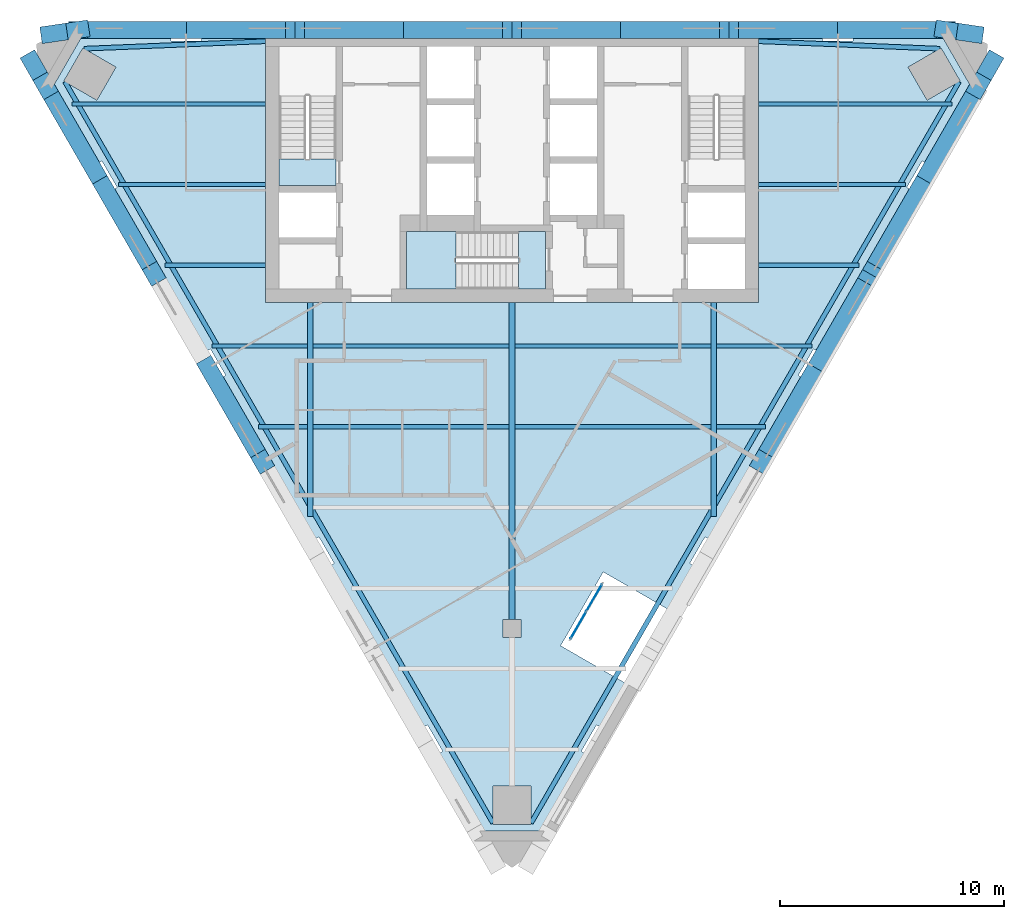
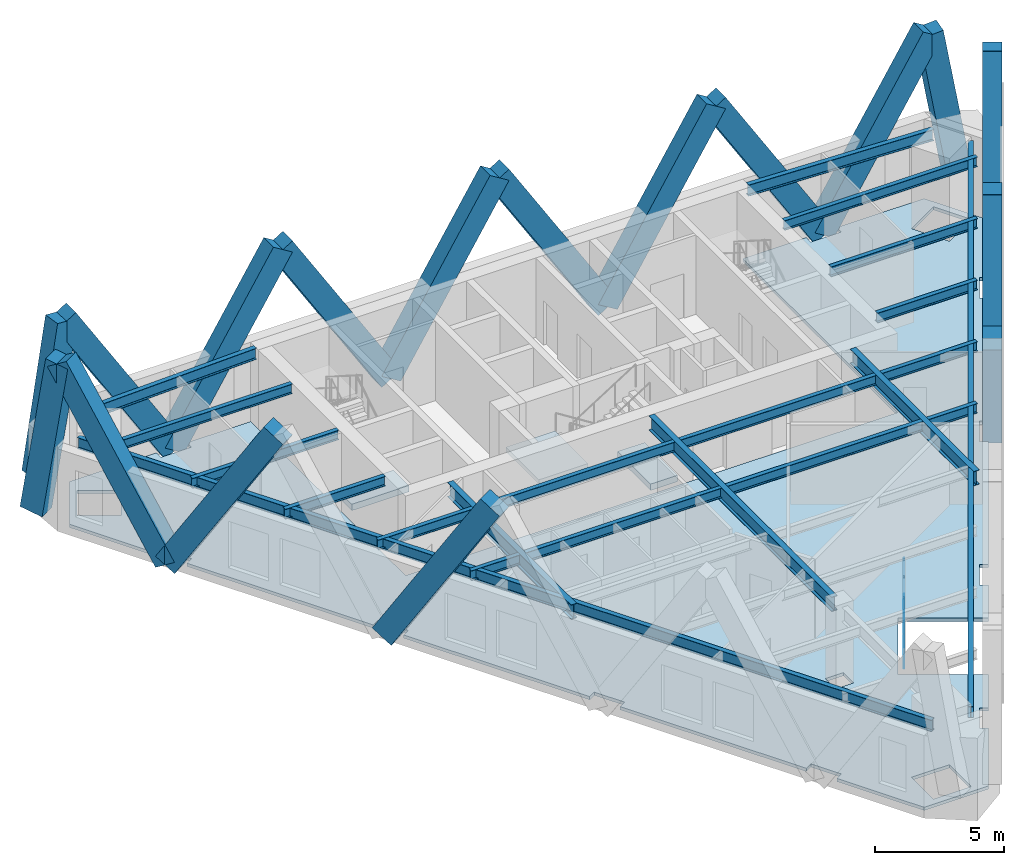
# One storey, part 3 of 10: 21 beams, 19 members, 4 plates, 4 slabs, 2 elements without a shape of their own.
"""IFC4 building model written with IfcOpenShell, lengths in metres."""

from ifc_helpers import new_model, si_unit, direction, frame, origin, origin_2d, place, context, subcontext, project, spatial, polyline, rectangle, i_section, outline, extrude, material, layer, layer_set, material_profile, profile_set, type_object, element, aggregate, save


model = new_model("IFC4")

# Units and contexts
model_context = context("Model", 3, precision=1e-05, world=origin(), true_north=direction((0.0, 1.0)))
body_context = subcontext(model_context, "Body", "Model", "MODEL_VIEW")
ifc_project = project(units=[si_unit("LENGTHUNIT", "METRE"), si_unit("AREAUNIT", "SQUARE_METRE"), si_unit("VOLUMEUNIT", "CUBIC_METRE"), si_unit("PLANEANGLEUNIT", "RADIAN"), si_unit("MASSUNIT", "GRAM", prefix="KILO")], contexts=[model_context])

# Site, building, storey
site_placement = place(None, origin())
site = spatial("IfcSite", under=ifc_project, at=site_placement, CompositionType="ELEMENT")
building_placement = place(site_placement, origin())
building = spatial("IfcBuilding", under=site, at=building_placement, Name="Aloe Facet Convention Tower", CompositionType="ELEMENT")
storey_placement = place(building_placement, frame((0.0, 0.0, 219.199951171875)))
storey = spatial("IfcBuildingStorey", under=building, at=storey_placement, Name="L55", CompositionType="ELEMENT", Elevation=219.199951171875)

# Beams
ifc_material_1 = material(Name="Steel S355", Category="steel")
ifc_material_profile_1 = material_profile(ifc_material_1, i_section(OverallWidth=0.19140625, OverallDepth=0.4599609375, WebThickness=0.010009765625, FlangeThickness=0.01611328125, FilletRadius=0.01025390625, at=origin_2d()), Name="UB 457x191x82")
ifc_profile_set_1 = profile_set([ifc_material_profile_1], Name="Steel S355")
beam_type_1 = type_object("IfcBeamType", Name="SF-B-UB457x191x82", PredefinedType="BEAM", material=ifc_profile_set_1)
beam_1_placement = place(storey_placement, frame((60.373779296875, 131.39990234375, 3.52001953125), z_axis=(1.0, 0.0, 0.0), x_axis=(0.0, 1.0, 0.0)))
element("IfcBeam", 1, at=beam_1_placement, inside=storey, type_object=beam_type_1, Name="Floor beam FB-Z4B-009", PredefinedType="BEAM", context=body_context, shape_type="SweptSolid", body=[
    extrude(i_section(OverallWidth=0.19140625, OverallDepth=0.4599609375, WebThickness=0.010009765625, FlangeThickness=0.01611328125, FilletRadius=0.01025390625, at=origin_2d()), origin(), (0.0, 0.0, 1.0), 8.626220703125),
])
beam_2_placement = place(storey_placement, frame((62.452392578125, 127.800048828125, 3.52001953125), z_axis=(1.0, 0.0, 0.0), x_axis=(0.0, 1.0, 0.0)))
element("IfcBeam", 2, at=beam_2_placement, inside=storey, type_object=beam_type_1, Name="Floor beam FB-Z4B-010", PredefinedType="BEAM", context=body_context, shape_type="SweptSolid", body=[
    extrude(i_section(OverallWidth=0.19140625, OverallDepth=0.4599609375, WebThickness=0.010009765625, FlangeThickness=0.01611328125, FilletRadius=0.01025390625, at=origin_2d()), origin(), (0.0, 0.0, 1.0), 6.547607421875),
])
beam_3_placement = place(storey_placement, frame((64.53076171875, 124.199951171875, 3.52001953125), z_axis=(1.0, 0.0, 0.0), x_axis=(0.0, 1.0, 0.0)))
element("IfcBeam", 3, at=beam_3_placement, inside=storey, type_object=beam_type_1, Name="Floor beam FB-Z4B-011", PredefinedType="BEAM", context=body_context, shape_type="SweptSolid", body=[
    extrude(i_section(OverallWidth=0.19140625, OverallDepth=0.4599609375, WebThickness=0.010009765625, FlangeThickness=0.01611328125, FilletRadius=0.01025390625, at=origin_2d()), origin(), (0.0, 0.0, 1.0), 4.46923828125),
])
beam_4_placement = place(storey_placement, frame((66.609130859375, 120.60009765625, 3.52001953125), z_axis=(1.0, 0.0, 0.0), x_axis=(0.0, 1.0, 0.0)))
element("IfcBeam", 4, at=beam_4_placement, inside=storey, type_object=beam_type_1, Name="Floor beam FB-Z4B-012", PredefinedType="BEAM", context=body_context, shape_type="SweptSolid", body=[
    extrude(i_section(OverallWidth=0.19140625, OverallDepth=0.4599609375, WebThickness=0.010009765625, FlangeThickness=0.01611328125, FilletRadius=0.01025390625, at=origin_2d()), origin(), (0.0, 0.0, 1.0), 4.264404296875),
])
beam_5_placement = place(storey_placement, frame((68.687744140625, 117.0, 3.52001953125), z_axis=(1.0, 0.0, 0.0), x_axis=(0.0, 1.0, 0.0)))
element("IfcBeam", 5, at=beam_5_placement, inside=storey, type_object=beam_type_1, Name="Floor beam FB-Z4B-013", PredefinedType="BEAM", context=body_context, shape_type="SweptSolid", body=[
    extrude(i_section(OverallWidth=0.19140625, OverallDepth=0.4599609375, WebThickness=0.010009765625, FlangeThickness=0.01611328125, FilletRadius=0.01025390625, at=origin_2d()), origin(), (0.0, 0.0, 1.0), 2.185791015625),
])
for number, where, z_axis, x_axis, name in (
    (6, (71.12646484375, 117.0, 3.52001953125), (1.0, 0.0, 0.0), (0.0, 1.0, 0.0), "Floor beam FB-Z4B-015"),
    (7, (71.12646484375, 120.60009765625, 3.52001953125), (1.0, 0.0, 0.0), (0.0, 1.0, 0.0), "Floor beam FB-Z4B-016"),
    (8, (80.12646484375, 117.0, 3.52001953125), (1.0, 0.0, 0.0), (0.0, 1.0, 0.0), "Floor beam FB-Z4B-024"),
    (9, (80.12646484375, 120.60009765625, 3.52001953125), (1.0, 0.0, 0.0), (0.0, 1.0, 0.0), "Floor beam FB-Z4B-025"),
):
    element("IfcBeam", number, at=place(storey_placement, frame(where, z_axis=z_axis, x_axis=x_axis)), inside=storey, type_object=beam_type_1, Name=name, PredefinedType="BEAM", context=body_context, shape_type="SweptSolid", body=[
        extrude(i_section(OverallWidth=0.19140625, OverallDepth=0.4599609375, WebThickness=0.010009765625, FlangeThickness=0.01611328125, FilletRadius=0.01025390625, at=origin_2d()), origin(), (0.0, 0.0, 1.0), 8.7470703125),
    ])
beam_6_placement = place(storey_placement, frame((89.12646484375, 117.0, 3.52001953125), z_axis=(1.0, 0.0, 0.0), x_axis=(0.0, 1.0, 0.0)))
element("IfcBeam", 10, at=beam_6_placement, inside=storey, type_object=beam_type_1, Name="Floor beam FB-Z4B-026", PredefinedType="BEAM", context=body_context, shape_type="SweptSolid", body=[
    extrude(i_section(OverallWidth=0.19140625, OverallDepth=0.4599609375, WebThickness=0.010009765625, FlangeThickness=0.01611328125, FilletRadius=0.01025390625, at=origin_2d()), origin(), (0.0, 0.0, 1.0), 2.185791015625),
])
beam_7_placement = place(storey_placement, frame((89.12646484375, 120.60009765625, 3.52001953125), z_axis=(1.0, 0.0, 0.0), x_axis=(0.0, 1.0, 0.0)))
element("IfcBeam", 11, at=beam_7_placement, inside=storey, type_object=beam_type_1, Name="Floor beam FB-Z4B-027", PredefinedType="BEAM", context=body_context, shape_type="SweptSolid", body=[
    extrude(i_section(OverallWidth=0.19140625, OverallDepth=0.4599609375, WebThickness=0.010009765625, FlangeThickness=0.01611328125, FilletRadius=0.01025390625, at=origin_2d()), origin(), (0.0, 0.0, 1.0), 4.264404296875),
])
beam_8_placement = place(storey_placement, frame((91.0, 124.199951171875, 3.52001953125), z_axis=(1.0, 0.0, 0.0), x_axis=(0.0, 1.0, 0.0)))
element("IfcBeam", 12, at=beam_8_placement, inside=storey, type_object=beam_type_1, Name="Floor beam FB-Z4B-028", PredefinedType="BEAM", context=body_context, shape_type="SweptSolid", body=[
    extrude(i_section(OverallWidth=0.19140625, OverallDepth=0.4599609375, WebThickness=0.010009765625, FlangeThickness=0.01611328125, FilletRadius=0.01025390625, at=origin_2d()), origin(), (0.0, 0.0, 1.0), 4.46923828125),
])
beam_9_placement = place(storey_placement, frame((91.0, 127.800048828125, 3.52001953125), z_axis=(1.0, 0.0, 0.0), x_axis=(0.0, 1.0, 0.0)))
element("IfcBeam", 13, at=beam_9_placement, inside=storey, type_object=beam_type_1, Name="Floor beam FB-Z4B-029", PredefinedType="BEAM", context=body_context, shape_type="SweptSolid", body=[
    extrude(i_section(OverallWidth=0.19140625, OverallDepth=0.4599609375, WebThickness=0.010009765625, FlangeThickness=0.01611328125, FilletRadius=0.01025390625, at=origin_2d()), origin(), (0.0, 0.0, 1.0), 6.547607421875),
])
beam_10_placement = place(storey_placement, frame((91.0, 131.39990234375, 3.52001953125), z_axis=(1.0, 0.0, 0.0), x_axis=(0.0, 1.0, 0.0)))
element("IfcBeam", 14, at=beam_10_placement, inside=storey, type_object=beam_type_1, Name="Floor beam FB-Z4B-030", PredefinedType="BEAM", context=body_context, shape_type="SweptSolid", body=[
    extrude(i_section(OverallWidth=0.19140625, OverallDepth=0.4599609375, WebThickness=0.010009765625, FlangeThickness=0.01611328125, FilletRadius=0.01025390625, at=origin_2d()), origin(), (0.0, 0.0, 1.0), 8.626220703125),
])
ifc_material_2 = material(Name="Steel S355", Category="steel")
ifc_material_profile_2 = material_profile(ifc_material_2, i_section(OverallWidth=0.209228515625, OverallDepth=0.533203125, WebThickness=0.010009765625, FlangeThickness=0.015625, FilletRadius=0.0126953125, at=origin_2d()), Name="UB 533x210x92")
ifc_profile_set_2 = profile_set([ifc_material_profile_2], Name="Steel S355")
beam_type_2 = type_object("IfcBeamType", Name="SF-B-UB533x210x92", PredefinedType="BEAM", material=ifc_profile_set_2)
beam_11_placement = place(storey_placement, frame((60.9072265625, 133.861572265625, 3.4833984375), z_axis=(0.999150743543, 0.041204267721, 0.0), x_axis=(-0.041204267721, 0.999150743543, 0.0)))
element("IfcBeam", 15, at=beam_11_placement, inside=storey, type_object=beam_type_2, Name="Floor beam FB-Z4B-001", PredefinedType="BEAM", context=body_context, shape_type="SweptSolid", body=[
    extrude(i_section(OverallWidth=0.209228515625, OverallDepth=0.533203125, WebThickness=0.010009765625, FlangeThickness=0.015625, FilletRadius=0.0126953125, at=origin_2d()), origin(), (0.0, 0.0, 1.0), 8.099609375),
])
beam_12_placement = place(storey_placement, frame((79.14990234375, 99.319580078125, 3.4833984375), z_axis=(-0.499998065821, 0.866026520481, 0.0), x_axis=(-0.866026520481, -0.499998065821, 0.0)))
element("IfcBeam", 16, at=beam_12_placement, inside=storey, type_object=beam_type_2, Name="Floor beam FB-Z4B-002", PredefinedType="BEAM", context=body_context, shape_type="SweptSolid", body=[
    extrude(i_section(OverallWidth=0.209228515625, OverallDepth=0.533203125, WebThickness=0.010009765625, FlangeThickness=0.015625, FilletRadius=0.0126953125, at=origin_2d()), origin(), (0.0, 0.0, 1.0), 38.185791015625),
])
beam_13_placement = place(storey_placement, frame((91.0, 134.1953125, 3.4833984375), z_axis=(0.999150743543, -0.041204267721, 0.0), x_axis=(0.041204267721, 0.999150743543, 0.0)))
element("IfcBeam", 17, at=beam_13_placement, inside=storey, type_object=beam_type_2, Name="Floor beam FB-Z4B-003", PredefinedType="BEAM", context=body_context, shape_type="SweptSolid", body=[
    extrude(i_section(OverallWidth=0.209228515625, OverallDepth=0.533203125, WebThickness=0.010009765625, FlangeThickness=0.015625, FilletRadius=0.0126953125, at=origin_2d()), origin(), (0.0, 0.0, 1.0), 8.099609375),
])
beam_14_placement = place(storey_placement, frame((99.94287109375, 132.389404296875, 3.4833984375), z_axis=(-0.499998065821, -0.866026520481, 0.0), x_axis=(0.866026520481, -0.499998065821, 0.0)))
element("IfcBeam", 18, at=beam_14_placement, inside=storey, type_object=beam_type_2, Name="Floor beam FB-Z4B-004", PredefinedType="BEAM", context=body_context, shape_type="SweptSolid", body=[
    extrude(i_section(OverallWidth=0.209228515625, OverallDepth=0.533203125, WebThickness=0.010009765625, FlangeThickness=0.015625, FilletRadius=0.0126953125, at=origin_2d()), origin(), (0.0, 0.0, 1.0), 38.185791015625),
])
ifc_material_3 = material(Name="Steel S355", Category="steel")
ifc_material_profile_3 = material_profile(ifc_material_3, i_section(OverallWidth=0.2529296875, OverallDepth=0.677978515625, WebThickness=0.01171875, FlangeThickness=0.01611328125, FilletRadius=0.01513671875, at=origin_2d()), Name="UB 686x254x125")
ifc_profile_set_3 = profile_set([ifc_material_profile_3], Name="Steel S355")
beam_type_3 = type_object("IfcBeamType", Name="SF-B-UB686x254x125", PredefinedType="BEAM", material=ifc_profile_set_3)
beam_15_placement = place(storey_placement, frame((71.0, 122.550048828125, 3.4111328125), z_axis=(0.0, -1.0, 0.0), x_axis=(1.0, 0.0, 0.0)))
element("IfcBeam", 19, at=beam_15_placement, inside=storey, type_object=beam_type_3, Name="Floor beam FB-Z4B-005", PredefinedType="BEAM", context=body_context, shape_type="SweptSolid", body=[
    extrude(i_section(OverallWidth=0.2529296875, OverallDepth=0.677978515625, WebThickness=0.01171875, FlangeThickness=0.01611328125, FilletRadius=0.01513671875, at=origin_2d()), origin(), (0.0, 0.0, 1.0), 9.5625),
])
beam_16_placement = place(storey_placement, frame((80.0, 122.550048828125, 3.4111328125), z_axis=(0.0, -1.0, 0.0), x_axis=(1.0, 0.0, 0.0)))
element("IfcBeam", 20, at=beam_16_placement, inside=storey, type_object=beam_type_3, Name="Floor beam FB-Z4B-007", PredefinedType="BEAM", context=body_context, shape_type="SweptSolid", body=[
    extrude(i_section(OverallWidth=0.2529296875, OverallDepth=0.677978515625, WebThickness=0.01171875, FlangeThickness=0.01611328125, FilletRadius=0.01513671875, at=origin_2d()), origin(), (0.0, 0.0, 1.0), 14.150146484375),
])
beam_17_placement = place(storey_placement, frame((89.0, 122.550048828125, 3.4111328125), z_axis=(0.0, -1.0, 0.0), x_axis=(1.0, 0.0, 0.0)))
element("IfcBeam", 21, at=beam_17_placement, inside=storey, type_object=beam_type_3, Name="Floor beam FB-Z4B-008", PredefinedType="BEAM", context=body_context, shape_type="SweptSolid", body=[
    extrude(i_section(OverallWidth=0.2529296875, OverallDepth=0.677978515625, WebThickness=0.01171875, FlangeThickness=0.01611328125, FilletRadius=0.01513671875, at=origin_2d()), origin(), (0.0, 0.0, 1.0), 9.5625),
])

# Members
ifc_material_4 = material(Name="Concrete C60/75, bronze oxide finish", Category="concrete")
ifc_material_profile_4 = material_profile(ifc_material_4, rectangle(XDim=0.75, YDim=1.0, at=origin_2d()), Name="STW-LM")
ifc_profile_set_4 = profile_set([ifc_material_profile_4], Name="Concrete C60/75, bronze oxide finish")
member_type = type_object("IfcMemberType", Name="STW-LM", PredefinedType="BRACE", material=ifc_profile_set_4)
for number, where, z_axis, x_axis, name in (
    (22, (94.5234375, 134.699951171875, 0.0), (0.52733571948, 0.0, 0.849657012541), (0.0, 1.0, 0.0), "Lattice member LM-Z4-F1-R5-01"),
    (23, (94.5234375, 134.699951171875, 0.0), (-0.52733571948, 0.0, 0.849657012541), (0.0, -1.0, 0.0), "Lattice member LM-Z4-F1-R5-02"),
):
    element("IfcMember", number, at=place(storey_placement, frame(where, z_axis=z_axis, x_axis=x_axis)), inside=storey, type_object=member_type, Name=name, PredefinedType="BRACE", context=body_context, shape_type="SweptSolid", body=[
        extrude(rectangle(XDim=0.75, YDim=1.0, at=origin_2d()), origin(), (0.0, 0.0, 1.0), 9.18017578125),
    ])
member_1_placement = place(storey_placement, frame((84.841064453125, 134.699951171875, 0.0), z_axis=(0.527354917858, 0.0, 0.849645096856), x_axis=(0.0, 1.0, 0.0)))
element("IfcMember", 24, at=member_1_placement, inside=storey, type_object=member_type, Name="Lattice member LM-Z4-F1-R5-03", PredefinedType="BRACE", context=body_context, shape_type="SweptSolid", body=[
    extrude(rectangle(XDim=0.75, YDim=1.0, at=origin_2d()), origin(), (0.0, 0.0, 1.0), 9.180419921875),
])
for number, where, z_axis, x_axis, name in (
    (25, (84.841064453125, 134.699951171875, 0.0), (-0.52733571948, 0.0, 0.849657012541), (0.0, -1.0, 0.0), "Lattice member LM-Z4-F1-R5-04"),
    (26, (75.158935546875, 134.699951171875, 0.0), (0.52733571948, 0.0, 0.849657012541), (0.0, 1.0, 0.0), "Lattice member LM-Z4-F1-R5-05"),
):
    element("IfcMember", number, at=place(storey_placement, frame(where, z_axis=z_axis, x_axis=x_axis)), inside=storey, type_object=member_type, Name=name, PredefinedType="BRACE", context=body_context, shape_type="SweptSolid", body=[
        extrude(rectangle(XDim=0.75, YDim=1.0, at=origin_2d()), origin(), (0.0, 0.0, 1.0), 9.18017578125),
    ])
member_2_placement = place(storey_placement, frame((75.158935546875, 134.699951171875, 0.0), z_axis=(-0.527354917858, 0.0, 0.849645096856), x_axis=(0.0, -1.0, 0.0)))
element("IfcMember", 27, at=member_2_placement, inside=storey, type_object=member_type, Name="Lattice member LM-Z4-F1-R5-06", PredefinedType="BRACE", context=body_context, shape_type="SweptSolid", body=[
    extrude(rectangle(XDim=0.75, YDim=1.0, at=origin_2d()), origin(), (0.0, 0.0, 1.0), 9.180419921875),
])
for number, where, z_axis, x_axis, name in (
    (28, (65.4765625, 134.699951171875, 0.0), (0.52733571948, 0.0, 0.849657012541), (0.0, 1.0, 0.0), "Lattice member LM-Z4-F1-R5-07"),
    (29, (65.4765625, 134.699951171875, 0.0), (-0.52733571948, 0.0, 0.849657012541), (0.0, -1.0, 0.0), "Lattice member LM-Z4-F1-R5-08"),
    (30, (61.61572265625, 128.012939453125, 0.0), (-0.263653622482, 0.456699985767, 0.84965398272), (-0.866043662766, -0.499968373182, 0.0), "Lattice member LM-Z4-F2-R5-01"),
):
    element("IfcMember", number, at=place(storey_placement, frame(where, z_axis=z_axis, x_axis=x_axis)), inside=storey, type_object=member_type, Name=name, PredefinedType="BRACE", context=body_context, shape_type="SweptSolid", body=[
        extrude(rectangle(XDim=0.75, YDim=1.0, at=origin_2d()), origin(), (0.0, 0.0, 1.0), 9.18017578125),
    ])
member_3_placement = place(storey_placement, frame((61.61572265625, 128.012939453125, 0.0), z_axis=(0.263678367654, -0.456696783431, 0.849648025029), x_axis=(0.866021826347, 0.500006196252, 0.0)))
element("IfcMember", 31, at=member_3_placement, inside=storey, type_object=member_type, Name="Lattice member LM-Z4-F2-R5-02", PredefinedType="BRACE", context=body_context, shape_type="SweptSolid", body=[
    extrude(rectangle(XDim=0.75, YDim=1.0, at=origin_2d()), origin(), (0.0, 0.0, 1.0), 9.180419921875),
])
for number, where, z_axis, x_axis, name in (
    (32, (66.45703125, 119.6279296875, 0.0), (0.263653622482, -0.456699985767, 0.84965398272), (0.866043662766, 0.499968373182, 0.0), "Lattice member LM-Z4-F2-R5-04"),
    (33, (93.54296875, 119.6279296875, 0.0), (-0.263653622482, -0.456699985767, 0.84965398272), (0.866043662766, -0.499968373182, 0.0), "Lattice member LM-Z4-F3-R5-05"),
    (34, (93.54296875, 119.6279296875, 0.0), (0.263681570082, 0.456675735901, 0.849658344182), (-0.866009217892, 0.500028033741, 0.0), "Lattice member LM-Z4-F3-R5-06"),
):
    element("IfcMember", number, at=place(storey_placement, frame(where, z_axis=z_axis, x_axis=x_axis)), inside=storey, type_object=member_type, Name=name, PredefinedType="BRACE", context=body_context, shape_type="SweptSolid", body=[
        extrude(rectangle(XDim=0.75, YDim=1.0, at=origin_2d()), origin(), (0.0, 0.0, 1.0), 9.18017578125),
    ])
member_4_placement = place(storey_placement, frame((98.38427734375, 128.012939453125, 0.0), z_axis=(-0.263678367654, -0.456696783431, 0.849648025029), x_axis=(0.866021826347, -0.500006196252, 0.0)))
element("IfcMember", 35, at=member_4_placement, inside=storey, type_object=member_type, Name="Lattice member LM-Z4-F3-R5-07", PredefinedType="BRACE", context=body_context, shape_type="SweptSolid", body=[
    extrude(rectangle(XDim=0.75, YDim=1.0, at=origin_2d()), origin(), (0.0, 0.0, 1.0), 9.180419921875),
])
member_5_placement = place(storey_placement, frame((98.38427734375, 128.012939453125, 0.0), z_axis=(0.263653622482, 0.456699985767, 0.84965398272), x_axis=(-0.866043662766, 0.499968373182, 0.0)))
element("IfcMember", 36, at=member_5_placement, inside=storey, type_object=member_type, Name="Lattice member LM-Z4-F3-R5-08", PredefinedType="BRACE", context=body_context, shape_type="SweptSolid", body=[
    extrude(rectangle(XDim=0.75, YDim=1.0, at=origin_2d()), origin(), (0.0, 0.0, 1.0), 9.18017578125),
])
member_6_placement = place(storey_placement, frame((101.3759765625, 133.20263671875, 0.415283203125), z_axis=(-0.076440545615, -0.133411618928, 0.988108386221), x_axis=(0.867667295011, -0.497145315947, 0.0)))
element("IfcMember", 37, at=member_6_placement, inside=storey, type_object=member_type, Name="Lattice member LM-Z4-F6-R4-05", PredefinedType="BRACE", context=body_context, shape_type="SweptSolid", body=[
    extrude(rectangle(XDim=0.75, YDim=1.0, at=origin_2d()), origin(), (0.0, 0.0, 1.0), 7.4736328125),
])
for number, where, z_axis, x_axis, name in (
    (38, (100.523193359375, 134.530029296875, 0.97021484375), (-0.167211225194, 0.024521494466, 0.985616102993), (-0.145097860699, -0.989417308733, 0.0), "Lattice member LM-Z4-F6-R4-06"),
    (39, (59.476806640625, 134.530029296875, 0.97021484375), (0.167211225194, 0.024521494466, 0.985616102993), (-0.145097860699, 0.989417308733, 0.0), "Lattice member LM-Z4-F4-R4-05"),
):
    element("IfcMember", number, at=place(storey_placement, frame(where, z_axis=z_axis, x_axis=x_axis)), inside=storey, type_object=member_type, Name=name, PredefinedType="BRACE", context=body_context, shape_type="SweptSolid", body=[
        extrude(rectangle(XDim=0.75, YDim=1.0, at=origin_2d()), origin(), (0.0, 0.0, 1.0), 6.929443359375),
    ])
member_7_placement = place(storey_placement, frame((58.6240234375, 133.20263671875, 0.415283203125), z_axis=(0.076440545615, -0.133411618928, 0.988108386221), x_axis=(0.867667295011, 0.497145315947, 0.0)))
element("IfcMember", 40, at=member_7_placement, inside=storey, type_object=member_type, Name="Lattice member LM-Z4-F4-R4-06", PredefinedType="BRACE", context=body_context, shape_type="SweptSolid", body=[
    extrude(rectangle(XDim=0.75, YDim=1.0, at=origin_2d()), origin(), (0.0, 0.0, 1.0), 7.4736328125),
])

# Slabs
ifc_material_5 = material(Name="Concrete C50/60", Category="concrete")
ifc_layer_1 = layer(ifc_material_5, 0.300048828125)
ifc_layer_set_1 = layer_set([ifc_layer_1], Name="CR-S-FLOOR300-C5060")
slab_type_1 = type_object("IfcSlabType", Name="CR-S-FLOOR300-C5060", PredefinedType="FLOOR", material=ifc_layer_set_1)
slab_1_placement = place(storey_placement, frame((0.0, 0.0, -0.300048828125)))
element("IfcSlab", 41, at=slab_1_placement, inside=storey, type_object=slab_type_1, Name="Stair landing floor L55", PredefinedType="FLOOR", context=body_context, shape_type="SweptSolid", body=[
    extrude(outline(polyline([(72.14990234375, 127.75), (72.14990234375, 128.951171875), (69.60009765625, 128.951171875), (69.60009765625, 127.75), (72.14990234375, 127.75)])), origin(), (0.0, 0.0, 1.0), 0.300048828125),
])
slab_2_placement = place(storey_placement, frame((0.0, 0.0, -0.300048828125)))
element("IfcSlab", 42, at=slab_2_placement, inside=storey, type_object=slab_type_1, Name="Stair landing floor L55", PredefinedType="FLOOR", context=body_context, shape_type="SweptSolid", body=[
    extrude(outline(polyline([(81.5, 125.699951171875), (80.298828125, 125.699951171875), (80.298828125, 123.14990234375), (81.5, 123.14990234375), (81.5, 125.699951171875)])), origin(), (0.0, 0.0, 1.0), 0.300048828125),
])

# Stair, slab
ifc_material_6 = material(Name="Concrete C50/60", Category="concrete")
stair_type = type_object("IfcStairType", Name="CR-ST-22R", PredefinedType="HALF_TURN_STAIR", material=ifc_material_6)
stair_placement = place(storey_placement, origin())
stair = element("IfcStair", 43, at=stair_placement, inside=storey, type_object=stair_type, Name="L55 Protected exit stair ST3", PredefinedType="HALF_TURN_STAIR")
ifc_material_7 = material(Name="Concrete C50/60", Category="concrete")
ifc_layer_2 = layer(ifc_material_7, 0.199951171875)
ifc_layer_set_2 = layer_set([ifc_layer_2], Name="CR-SL-LANDING")
slab_type_2 = type_object("IfcSlabType", Name="CR-SL-LANDING", PredefinedType="LANDING", material=ifc_layer_set_2)
slab_3_placement = place(storey_placement, frame((0.0, 0.0, 1.75)))
slab_3 = element("IfcSlab", 44, at=slab_3_placement, type_object=slab_type_2, Name="ST3 landing 1", PredefinedType="LANDING", context=body_context, shape_type="SweptSolid", body=[
    extrude(outline(polyline([(77.5, 125.699951171875), (75.300048828125, 125.699951171875), (75.300048828125, 123.14990234375), (77.5, 123.14990234375), (77.5, 125.699951171875)])), origin(), (0.0, 0.0, 1.0), 0.199951171875),
])
aggregate(stair, [slab_3])

# Curtain wall, plates
ifc_material_8 = material(Name="Aluminium, anodised", Category="aluminium")
curtain_wall_type = type_object("IfcCurtainWallType", Name="EV-CW-TERRACE", PredefinedType="USERDEFINED", material=ifc_material_8)
curtain_wall_placement = place(storey_placement, origin())
curtain_wall = element("IfcCurtainWall", 45, at=curtain_wall_placement, inside=storey, type_object=curtain_wall_type, Name="CW-T12", ObjectType="TERRACE BACK GLAZING", PredefinedType="USERDEFINED")
ifc_material_9 = material(Name="Clear double glazing", Category="glass")
ifc_layer_3 = layer(ifc_material_9, 0.028076171875)
ifc_layer_set_3 = layer_set([ifc_layer_3], Name="EV-PANEL-TERRACE")
plate_type = type_object("IfcPlateType", Name="EV-PANEL-TERRACE", PredefinedType="CURTAIN_PANEL", material=ifc_layer_set_3)
plate_1_placement = place(storey_placement, frame((82.960205078125, 108.147705078125, -0.08984375), z_axis=(0.0, 0.0, 1.0), x_axis=(0.5, 0.866025403784, 0.0)))
plate_1 = element("IfcPlate", 46, at=plate_1_placement, type_object=plate_type, Name="CW-T12 panel 1.1", PredefinedType="CURTAIN_PANEL", context=body_context, shape_type="SweptSolid", body=[
    extrude(rectangle(XDim=1.360107421875, YDim=0.028076171875, at=origin_2d()), origin(), (0.0, 0.0, 1.0), 1.6298828125),
])
plate_2_placement = place(storey_placement, frame((82.960205078125, 108.147705078125, 1.60009765625), z_axis=(0.0, 0.0, 1.0), x_axis=(0.5, 0.866025403784, 0.0)))
plate_2 = element("IfcPlate", 47, at=plate_2_placement, type_object=plate_type, Name="CW-T12 panel 1.2", PredefinedType="CURTAIN_PANEL", context=body_context, shape_type="SweptSolid", body=[
    extrude(rectangle(XDim=1.360107421875, YDim=0.028076171875, at=origin_2d()), origin(), (0.0, 0.0, 1.0), 1.6298828125),
])
plate_3_placement = place(storey_placement, frame((83.670166015625, 109.37744140625, -0.08984375), z_axis=(0.0, 0.0, 1.0), x_axis=(0.5, 0.866025403784, 0.0)))
plate_3 = element("IfcPlate", 48, at=plate_3_placement, type_object=plate_type, Name="CW-T12 panel 2.1", PredefinedType="CURTAIN_PANEL", context=body_context, shape_type="SweptSolid", body=[
    extrude(rectangle(XDim=1.360107421875, YDim=0.028076171875, at=origin_2d()), origin(), (0.0, 0.0, 1.0), 1.6298828125),
])
plate_4_placement = place(storey_placement, frame((83.670166015625, 109.37744140625, 1.60009765625), z_axis=(0.0, 0.0, 1.0), x_axis=(0.5, 0.866025403784, 0.0)))
plate_4 = element("IfcPlate", 49, at=plate_4_placement, type_object=plate_type, Name="CW-T12 panel 2.2", PredefinedType="CURTAIN_PANEL", context=body_context, shape_type="SweptSolid", body=[
    extrude(rectangle(XDim=1.360107421875, YDim=0.028076171875, at=origin_2d()), origin(), (0.0, 0.0, 1.0), 1.6298828125),
])
aggregate(curtain_wall, [plate_1, plate_2, plate_3, plate_4])

# Slab
ifc_material_10 = material(Name="Concrete C35/45", Category="concrete")
ifc_layer_4 = layer(ifc_material_10, 0.14990234375)
ifc_layer_set_4 = layer_set([ifc_layer_4], Name="SF-FS-150")
slab_type_3 = type_object("IfcSlabType", Name="SF-FS-150", PredefinedType="FLOOR", material=ifc_layer_set_4)
slab_4_placement = place(storey_placement, frame((0.0, 0.0, -0.14990234375)))
element("IfcSlab", 50, at=slab_4_placement, inside=storey, type_object=slab_type_3, Name="Floor slab L55-1", PredefinedType="FLOOR", context=body_context, shape_type="SweptSolid", body=[
    extrude(outline(polyline([(78.559814453125, 98.965087890625), (76.60986328125, 102.34228515625), (76.9130859375, 102.517333984375), (76.7666015625, 102.77099609375), (76.693115234375, 102.898193359375), (76.572265625, 103.107666015625), (76.539794921875, 103.163818359375), (76.484375, 103.259765625), (76.451416015625, 103.31689453125), (76.278076171875, 103.6171875), (76.2314453125, 103.69775390625), (75.92822265625, 103.522705078125), (71.768798828125, 110.727294921875), (72.072021484375, 110.90234375), (71.851806640625, 111.283447265625), (71.731201171875, 111.49267578125), (71.687744140625, 111.56787109375), (71.610107421875, 111.701904296875), (71.43798828125, 112.000244140625), (71.43701171875, 112.002197265625), (71.390380859375, 112.0830078125), (71.087158203125, 111.907958984375), (66.927490234375, 119.112548828125), (67.230712890625, 119.28759765625), (66.76904296875, 120.087158203125), (66.69580078125, 120.21435546875), (66.595703125, 120.387451171875), (66.549072265625, 120.468017578125), (66.24609375, 120.293212890625), (62.08642578125, 127.497802734375), (62.3896484375, 127.672607421875), (62.201416015625, 127.998779296875), (62.048828125, 128.262939453125), (62.043212890625, 128.272705078125), (61.937744140625, 128.455322265625), (61.927978515625, 128.472412109375), (61.7080078125, 128.853271484375), (61.40478515625, 128.67822265625), (59.455078125, 132.055419921875), (60.895263671875, 134.550048828125), (64.794921875, 134.550048828125), (64.794921875, 134.199951171875), (64.88818359375, 134.199951171875), (65.23486328125, 134.199951171875), (65.4765625, 134.199951171875), (65.71826171875, 134.199951171875), (66.06494140625, 134.199951171875), (66.158203125, 134.199951171875), (66.158203125, 134.550048828125), (69.0, 134.550048828125), (69.0, 128.050048828125), (69.0, 127.14990234375), (69.0, 125.75), (69.0, 124.85009765625), (69.0, 122.550048828125), (71.85009765625, 122.550048828125), (72.75, 122.550048828125), (74.699951171875, 122.550048828125), (75.60009765625, 122.550048828125), (81.199951171875, 122.550048828125), (82.10009765625, 122.550048828125), (84.39990234375, 122.550048828125), (85.300048828125, 122.550048828125), (87.25, 122.550048828125), (88.14990234375, 122.550048828125), (91.0, 122.550048828125), (91.0, 124.85009765625), (91.0, 125.75), (91.0, 127.14990234375), (91.0, 128.050048828125), (91.0, 134.550048828125), (93.841796875, 134.550048828125), (93.841796875, 134.199951171875), (93.93505859375, 134.199951171875), (94.28173828125, 134.199951171875), (94.5234375, 134.199951171875), (94.76513671875, 134.199951171875), (95.11181640625, 134.199951171875), (95.205078125, 134.199951171875), (95.205078125, 134.550048828125), (99.104736328125, 134.550048828125), (100.544921875, 132.055419921875), (98.59521484375, 128.67822265625), (98.2919921875, 128.853271484375), (98.24560546875, 128.772705078125), (98.072021484375, 128.472412109375), (98.0390625, 128.4150390625), (97.983642578125, 128.319091796875), (97.951171875, 128.262939453125), (97.918701171875, 128.206787109375), (97.86328125, 128.11083984375), (97.830322265625, 128.0537109375), (97.656982421875, 127.75341796875), (97.6103515625, 127.672607421875), (97.91357421875, 127.497802734375), (93.75390625, 120.293212890625), (93.450927734375, 120.468017578125), (93.404296875, 120.387451171875), (93.30419921875, 120.21435546875), (92.9892578125, 119.66845703125), (92.840576171875, 119.4111328125), (92.769287109375, 119.28759765625), (93.072509765625, 119.112548828125), (88.912841796875, 111.907958984375), (88.609619140625, 112.0830078125), (88.56298828125, 112.002197265625), (88.463134765625, 111.8291015625), (88.148193359375, 111.283447265625), (87.927978515625, 110.90234375), (88.231201171875, 110.727294921875), (87.101318359375, 108.7705078125), (84.0703125, 110.5205078125), (82.17041015625, 107.229736328125), (85.201416015625, 105.479736328125), (84.07177734375, 103.522705078125), (83.7685546875, 103.69775390625), (83.721923828125, 103.6171875), (83.721923828125, 103.6171875), (83.427734375, 103.107666015625), (83.306884765625, 102.898193359375), (83.133544921875, 102.597900390625), (83.0869140625, 102.517333984375), (83.39013671875, 102.34228515625), (81.440185546875, 98.965087890625), (78.559814453125, 98.965087890625)]), holes=[polyline([(62.33203125, 133.038818359375), (60.85986328125, 133.888916015625), (60.010009765625, 132.41650390625), (61.482177734375, 131.566650390625), (62.33203125, 133.038818359375)]), polyline([(79.14990234375, 100.965087890625), (79.14990234375, 99.264892578125), (80.85009765625, 99.264892578125), (80.85009765625, 100.965087890625), (79.14990234375, 100.965087890625)]), polyline([(79.60009765625, 107.60009765625), (80.39990234375, 107.60009765625), (80.39990234375, 108.39990234375), (79.60009765625, 108.39990234375), (79.60009765625, 107.60009765625)]), polyline([(98.517822265625, 131.566650390625), (99.989990234375, 132.41650390625), (99.14013671875, 133.888916015625), (97.66796875, 133.038818359375), (98.517822265625, 131.566650390625)])]), origin(), (0.0, 0.0, 1.0), 0.14990234375),
])

save(model, "model.ifc")
